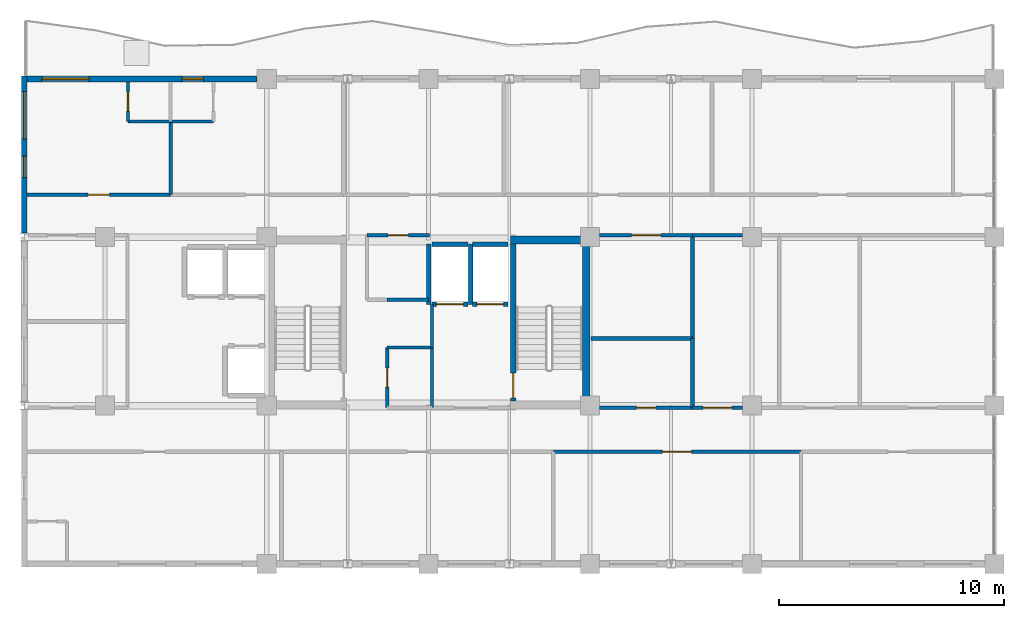
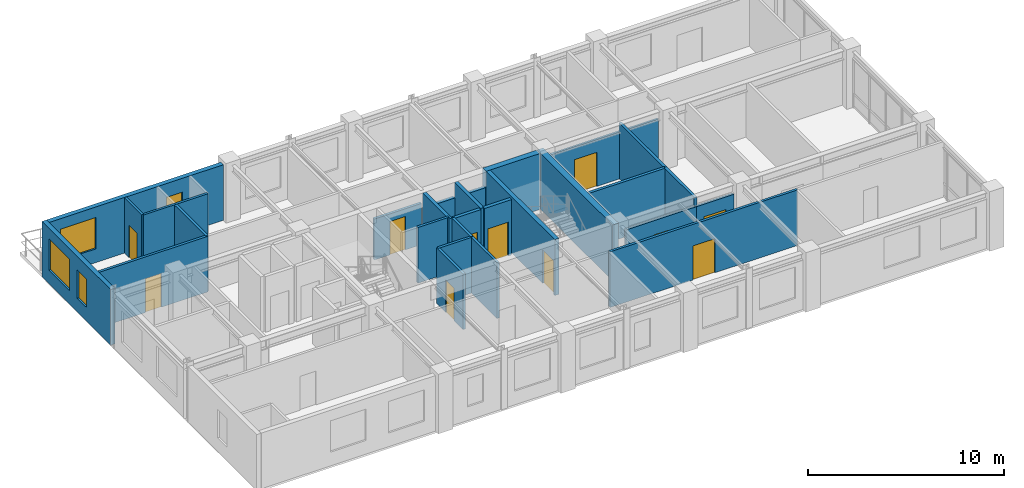
# One storey, part 7 of 11: 30 walls, 11 doors, 4 windows, 15 openings.
"""IFC4 building model written with IfcOpenShell, lengths in metres."""

import ifcopenshell
import ifcopenshell.guid

model = None  # the IFC model being written
_history = None  # IfcOwnerHistory: only IFC2X3 demands one
_inside = {}  # id of a spatial element -> (the spatial element, [elements in it])
_under = {}  # id of a project, library or spatial element -> (it, [spatial elements below it])
_declared = {}  # id of a project -> (the project, [libraries it declares])
_typed = {}  # id of a type object -> (the type object, [elements of that type])
_made_of = {}  # id of a material, layer set ... -> (it, [elements and type objects made of it])


def new_model(schema):
    """Start an empty IFC model of exactly this schema.

    Asked for "IFC4X3", IfcOpenShell would pick the latest addendum, in which some entities
    have other attributes; the version numbers below select the first issue.
    IFC2X3 requires an IfcOwnerHistory on every rooted entity: one is made here for all.
    """
    global model, _history
    if schema == "IFC4X3":
        model = ifcopenshell.file(schema_version=(4, 3, 0, 0))
    else:
        model = ifcopenshell.file(schema=schema)
    _inside.clear()
    _under.clear()
    _declared.clear()
    _typed.clear()
    _made_of.clear()
    _history = None
    if model.schema == "IFC2X3":
        org = make("IfcOrganization", Name="unknown")
        user = make(
            "IfcPersonAndOrganization",
            ThePerson=make("IfcPerson", FamilyName="unknown"),
            TheOrganization=org,
        )
        app = make(
            "IfcApplication",
            ApplicationDeveloper=org,
            Version="unknown",
            ApplicationFullName="unknown",
            ApplicationIdentifier="unknown",
        )
        _history = make(
            "IfcOwnerHistory",
            OwningUser=user,
            OwningApplication=app,
            ChangeAction="ADDED",
            CreationDate=0,
        )
    return model


def make(cls, **values):
    """One entity of the class cls with the attributes given. An attribute that is None is left unset."""
    return model.create_entity(
        cls, **{name: value for name, value in values.items() if value is not None}
    )


def rooted(cls, **values):
    """An entity with a GlobalId (a new one), such as an element, a storey or a relation."""
    return make(cls, GlobalId=ifcopenshell.guid.new(), OwnerHistory=_history, **values)


def si_unit(unit_type, name, prefix=None):
    """IfcSIUnit, for example si_unit("LENGTHUNIT", "METRE", prefix="MILLI")."""
    return make("IfcSIUnit", UnitType=unit_type, Prefix=prefix, Name=name)


def assignment(units):
    """IfcUnitAssignment: the units of a project."""
    return None if units is None else make("IfcUnitAssignment", Units=units)


def point(xyz):
    """IfcCartesianPoint."""
    return None if xyz is None else make("IfcCartesianPoint", Coordinates=xyz)


def direction(xyz):
    """IfcDirection."""
    return None if xyz is None else make("IfcDirection", DirectionRatios=xyz)


def frame(location, z_axis=None, x_axis=None):
    """IfcAxis2Placement3D, a coordinate frame: its origin and axes. An axis left out is left unset."""
    return make(
        "IfcAxis2Placement3D",
        Location=point(location),
        Axis=direction(z_axis),
        RefDirection=direction(x_axis),
    )


def frame_2d(location, x_axis=None):
    """IfcAxis2Placement2D, a coordinate frame in the plane: its origin and x axis."""
    return make(
        "IfcAxis2Placement2D", Location=point(location), RefDirection=direction(x_axis)
    )


def origin():
    """The frame at (0, 0, 0) with its axes left unset."""
    return frame((0.0, 0.0, 0.0))


def place(relative_to, where):
    """IfcLocalPlacement: puts the frame where relative to a parent placement (None: the world)."""
    return make(
        "IfcLocalPlacement", PlacementRelTo=relative_to, RelativePlacement=where
    )


def context(
    kind, dimensions, precision=None, world=None, true_north=None, identifier=None
):
    """IfcGeometricRepresentationContext, for example the 3D "Model" context."""
    return make(
        "IfcGeometricRepresentationContext",
        ContextIdentifier=identifier,
        ContextType=kind,
        CoordinateSpaceDimension=dimensions,
        Precision=precision,
        WorldCoordinateSystem=world,
        TrueNorth=true_north,
    )


def subcontext(parent, identifier, kind, view, scale=None):
    """IfcGeometricRepresentationSubContext, for example "Body" below "Model"."""
    return make(
        "IfcGeometricRepresentationSubContext",
        ContextIdentifier=identifier,
        ContextType=kind,
        ParentContext=parent,
        TargetScale=scale,
        TargetView=view,
    )


def project(units=None, contexts=None):
    """IfcProject with its units and contexts."""
    return rooted(
        "IfcProject",
        Name="project",
        RepresentationContexts=contexts,
        UnitsInContext=assignment(units),
    )


def spatial(cls, under=None, at=None, **own):
    """A site, building, storey or space (cls), placed at a placement, below another one or the project."""
    s = rooted(cls, ObjectPlacement=at, **own)
    if under is not None:
        _under.setdefault(under.id(), (under, []))[1].append(s)
    return s


def profile(cls, at=None, kind="AREA", **sizes):
    """A parametric profile (cls). Its sizes go by their IFC names, for example OverallWidth=200.0."""
    return make(cls, ProfileType=kind, Position=at, **sizes)


def rectangle(**sizes):
    """IfcRectangleProfileDef."""
    return profile("IfcRectangleProfileDef", **sizes)


def extrude(swept, where, along, depth):
    """IfcExtrudedAreaSolid: the profile swept, set in the frame where, extruded along a direction by depth."""
    return make(
        "IfcExtrudedAreaSolid",
        SweptArea=swept,
        Position=where,
        ExtrudedDirection=direction(along),
        Depth=depth,
    )


def shape(context_of_items, identifier, shape_type, items):
    """IfcShapeRepresentation: the items that make up one representation, for example the "Body"."""
    return make(
        "IfcShapeRepresentation",
        ContextOfItems=context_of_items,
        RepresentationIdentifier=identifier,
        RepresentationType=shape_type,
        Items=items,
    )


def material(Name=None, Category=None):
    """IfcMaterial."""
    return make("IfcMaterial", Name=Name, Category=Category)


def layer(
    of_material, thickness, ventilated=None, Name=None, Category=None, Priority=None
):
    """IfcMaterialLayer: one layer of a wall or slab, of a material (None: an air gap)."""
    return make(
        "IfcMaterialLayer",
        Material=of_material,
        LayerThickness=thickness,
        IsVentilated=ventilated,
        Name=Name,
        Category=Category,
        Priority=Priority,
    )


def layer_set(layers, Name=None):
    """IfcMaterialLayerSet."""
    return make("IfcMaterialLayerSet", MaterialLayers=layers, LayerSetName=Name)


def made_of(thing, what):
    """Note that an element or type object is made of a material, layer set ...; save() writes the relation."""
    if what is not None:
        _made_of.setdefault(what.id(), (what, []))[1].append(thing)
    return thing


def type_object(cls, material=None, **own):
    """A type object (cls), such as IfcWallType, which elements share."""
    return made_of(rooted(cls, **own), material)


def element(
    cls,
    number,
    at=None,
    inside=None,
    cuts=None,
    type_object=None,
    material=None,
    context=None,
    identifier="Body",
    shape_type=None,
    held_by="IfcProductDefinitionShape",
    body=None,
    shapes=None,
    **own,
):
    """One element of the class cls, such as IfcWall. Its Tag is "e" and its number.

    at: its placement. inside: the storey or other place that contains it. cuts: it is an
    opening in that element (IfcRelVoidsElement). A single representation is given by context,
    identifier, shape_type and body (its items); several are given by shapes. held_by: the class
    of the entity that holds the representations. save() writes the other relations.
    """
    e = rooted(cls, Tag="e%d" % number, ObjectPlacement=at, **own)
    if body is not None:
        shapes = [shape(context, identifier, shape_type, body)]
    if shapes is not None:
        e.Representation = make(held_by, Representations=shapes)
    if inside is not None:
        _inside.setdefault(inside.id(), (inside, []))[1].append(e)
    if cuts is not None:
        rooted(
            "IfcRelVoidsElement", RelatingBuildingElement=cuts, RelatedOpeningElement=e
        )
    if type_object is not None:
        _typed.setdefault(type_object.id(), (type_object, []))[1].append(e)
    return made_of(e, material)


def fill(opening, filler):
    """IfcRelFillsElement: the door or window that sits in an opening."""
    return rooted(
        "IfcRelFillsElement",
        RelatingOpeningElement=opening,
        RelatedBuildingElement=filler,
    )


def aggregate(whole, parts):
    """IfcRelAggregates: a whole, such as a stair, and the parts it consists of."""
    return rooted("IfcRelAggregates", RelatingObject=whole, RelatedObjects=parts)


def save(model, path):
    """Write the relations noted so far, then the file.

    IfcRelAggregates (storeys below a building ...), IfcRelContainedInSpatialStructure (elements
    in a storey), IfcRelDefinesByType, IfcRelAssociatesMaterial and IfcRelDeclares: one each for
    every whole, place, type object, material and project.
    """
    for whole, parts in _under.values():
        aggregate(whole, parts)
    for where, things in _inside.values():
        rooted(
            "IfcRelContainedInSpatialStructure",
            RelatedElements=things,
            RelatingStructure=where,
        )
    for kind, things in _typed.values():
        rooted("IfcRelDefinesByType", RelatedObjects=things, RelatingType=kind)
    for what, things in _made_of.values():
        rooted("IfcRelAssociatesMaterial", RelatedObjects=things, RelatingMaterial=what)
    for by, libraries in _declared.values():
        rooted("IfcRelDeclares", RelatingContext=by, RelatedDefinitions=libraries)
    model.write(path)


model = new_model("IFC4")

# Units and contexts
model_context = context("Model", 3, precision=1e-05, world=origin(), true_north=direction((0.0, 1.0)))
body_context = subcontext(model_context, "Body", "Model", "MODEL_VIEW")
ifc_project = project(units=[si_unit("LENGTHUNIT", "METRE"), si_unit("AREAUNIT", "SQUARE_METRE"), si_unit("VOLUMEUNIT", "CUBIC_METRE"), si_unit("PLANEANGLEUNIT", "RADIAN"), si_unit("MASSUNIT", "GRAM", prefix="KILO")], contexts=[model_context])

# Site, building, storey
site_placement = place(None, origin())
site = spatial("IfcSite", under=ifc_project, at=site_placement, CompositionType="ELEMENT")
building_placement = place(site_placement, origin())
building = spatial("IfcBuilding", under=site, at=building_placement, Name="Kaliganga Portal Commons", CompositionType="ELEMENT")
storey_placement = place(building_placement, frame((0.0, 0.0, 268.39990234375)))
storey = spatial("IfcBuildingStorey", under=building, at=storey_placement, Name="L69", CompositionType="ELEMENT", Elevation=268.39990234375)

# Walls
ifc_material_1 = material(Name="Concrete C50/60", Category="concrete")
ifc_layer_1 = layer(ifc_material_1, 0.35009765625)
ifc_layer_set_1 = layer_set([ifc_layer_1], Name="Concrete C50/60")
wall_type_1 = type_object("IfcWallType", Name="WL-CORE-350", PredefinedType="SHEAR", material=ifc_layer_set_1)
wall_1_placement = place(storey_placement, frame((28.625, 28.5, 0.0), z_axis=(0.0, 0.0, 1.0), x_axis=(0.0, 1.0, 0.0)))
element("IfcWall", 1, at=wall_1_placement, inside=storey, type_object=wall_type_1, Name="Core A East Shear Wall L69", PredefinedType="SHEAR", context=body_context, shape_type="SweptSolid", body=[
    extrude(rectangle(XDim=7.699951171875, YDim=0.35009765625, at=frame_2d((3.85009765625, 0.0))), origin(), (0.0, 0.0, 1.0), 3.47509765625),
])
wall_2_placement = place(storey_placement, frame((25.25, 36.02490234375, 0.0), z_axis=(0.0, 0.0, 1.0), x_axis=(1.0, 0.0, 0.0)))
element("IfcWall", 2, at=wall_2_placement, inside=storey, type_object=wall_type_1, Name="Core A N-East Shear Wall L69", PredefinedType="SHEAR", context=body_context, shape_type="SweptSolid", body=[
    extrude(rectangle(XDim=3.199951171875, YDim=0.35009765625, at=frame_2d((1.60009765625, 0.0))), origin(), (0.0, 0.0, 1.0), 3.47509765625),
])

# Wall, openings, windows
ifc_material_2 = material(Name="Insulated Aluminium-Clad Spandrel Assembly", Category="aluminium")
ifc_layer_2 = layer(ifc_material_2, 0.260009765625)
ifc_layer_set_2 = layer_set([ifc_layer_2], Name="Insulated Aluminium-Clad Spandrel Assembly")
wall_type_2 = type_object("IfcWallType", Name="WL-EXT-SPAND-260", PredefinedType="STANDARD", material=ifc_layer_set_2)
wall_3_placement = place(storey_placement, frame((3.735107421875, 43.199951171875, 0.0), z_axis=(0.0, 0.0, 1.0), x_axis=(1.0, 0.0, 0.0)))
wall_3 = element("IfcWall", 3, at=wall_3_placement, inside=storey, type_object=wall_type_2, Name="Exterior Envelope Wall L69 P1-E02-S8", PredefinedType="STANDARD", context=body_context, shape_type="SweptSolid", body=[
    extrude(rectangle(XDim=10.239013671875, YDim=0.260009765625, at=frame_2d((5.11962890625, 0.0))), origin(), (0.0, 0.0, 1.0), 3.455078125),
])
opening_1_placement = place(wall_3_placement, frame((0.656494140625, 0.0, 0.85009765625)))
opening_1 = element("IfcOpeningElement", 4, at=opening_1_placement, cuts=wall_3, Name="Opening W-06", PredefinedType="OPENING", context=body_context, shape_type="SweptSolid", body=[
    extrude(rectangle(XDim=2.10009765625, YDim=1.949951171875, at=frame_2d((1.050048828125, 0.97509765625))), frame((0.0, 0.14013671875, 0.0), z_axis=(0.0, -1.0, 0.0), x_axis=(1.0, 0.0, 0.0)), (0.0, 0.0, 1.0), 0.280029296875),
])
opening_2_placement = place(wall_3_placement, frame((6.897216796875, 0.0, 0.85009765625)))
opening_2 = element("IfcOpeningElement", 5, at=opening_2_placement, cuts=wall_3, Name="Opening W-04", PredefinedType="OPENING", context=body_context, shape_type="SweptSolid", body=[
    extrude(rectangle(XDim=0.949951171875, YDim=1.75, at=frame_2d((0.47509765625, 0.875))), frame((0.0, 0.14013671875, 0.0), z_axis=(0.0, -1.0, 0.0), x_axis=(1.0, 0.0, 0.0)), (0.0, 0.0, 1.0), 0.280029296875),
])
ifc_material_3 = material(Name="Thermally Broken Aluminium and Low-E Double Glazing", Category="aluminium")
window_type_1 = type_object("IfcWindowType", Name="WIN-NARROW-950", PartitioningType="SINGLE_PANEL", PredefinedType="WINDOW", material=ifc_material_3)
window_1_placement = place(opening_2_placement, origin())
window_1 = element("IfcWindow", 6, at=window_1_placement, inside=storey, type_object=window_type_1, Name="Facade Window L69-P1E02S8-N4", OverallHeight=1.75, OverallWidth=0.949951171875, PartitioningType="SINGLE_PANEL", PredefinedType="WINDOW", context=body_context, shape_type="SweptSolid", body=[
    extrude(rectangle(XDim=0.949951171875, YDim=1.75, at=frame_2d((0.47509765625, 0.875))), frame((0.0, 0.030029296875, 0.0), z_axis=(0.0, -1.0, 0.0), x_axis=(1.0, 0.0, 0.0)), (0.0, 0.0, 1.0), 0.06005859375),
])
fill(opening_2, window_1)
window_type_2 = type_object("IfcWindowType", Name="WIN-PAN-2100", PartitioningType="DOUBLE_PANEL_VERTICAL", PredefinedType="WINDOW", material=ifc_material_3)
window_2_placement = place(opening_1_placement, origin())
window_2 = element("IfcWindow", 7, at=window_2_placement, inside=storey, type_object=window_type_2, Name="Facade Window L69-P1E02S8-00", OverallHeight=1.949951171875, OverallWidth=2.10009765625, PartitioningType="SINGLE_PANEL", PredefinedType="WINDOW", context=body_context, shape_type="SweptSolid", body=[
    extrude(rectangle(XDim=2.10009765625, YDim=1.949951171875, at=frame_2d((1.050048828125, 0.97509765625))), frame((0.0, 0.030029296875, 0.0), z_axis=(0.0, -1.0, 0.0), x_axis=(1.0, 0.0, 0.0)), (0.0, 0.0, 1.0), 0.06005859375),
])
fill(opening_1, window_2)

wall_4_placement = place(storey_placement, frame((3.60009765625, 36.3369140625, 0.0), z_axis=(0.0, 0.0, 1.0), x_axis=(0.0, 1.0, 0.0)))
wall_4 = element("IfcWall", 8, at=wall_4_placement, inside=storey, type_object=wall_type_2, Name="Exterior Envelope Wall L69 P1-E03-S1", PredefinedType="STANDARD", context=body_context, shape_type="SweptSolid", body=[
    extrude(rectangle(XDim=6.9931640625, YDim=0.260009765625, at=frame_2d((3.49658203125, 0.0))), origin(), (0.0, 0.0, 1.0), 3.455078125),
])
opening_3_placement = place(wall_4_placement, frame((4.194580078125, 0.0, 0.85009765625)))
opening_3 = element("IfcOpeningElement", 9, at=opening_3_placement, cuts=wall_4, Name="Opening W-06", PredefinedType="OPENING", context=body_context, shape_type="SweptSolid", body=[
    extrude(rectangle(XDim=2.10009765625, YDim=1.949951171875, at=frame_2d((1.050048828125, 0.97509765625))), frame((0.0, 0.14013671875, 0.0), z_axis=(0.0, -1.0, 0.0), x_axis=(1.0, 0.0, 0.0)), (0.0, 0.0, 1.0), 0.280029296875),
])
opening_4_placement = place(wall_4_placement, frame((2.462158203125, 0.0, 0.85009765625)))
opening_4 = element("IfcOpeningElement", 10, at=opening_4_placement, cuts=wall_4, Name="Opening W-04", PredefinedType="OPENING", context=body_context, shape_type="SweptSolid", body=[
    extrude(rectangle(XDim=0.949951171875, YDim=1.75, at=frame_2d((0.47509765625, 0.875))), frame((0.0, 0.14013671875, 0.0), z_axis=(0.0, -1.0, 0.0), x_axis=(1.0, 0.0, 0.0)), (0.0, 0.0, 1.0), 0.280029296875),
])
window_3_placement = place(opening_4_placement, origin())
window_3 = element("IfcWindow", 11, at=window_3_placement, inside=storey, type_object=window_type_1, Name="Facade Window L69-P1E03S1-N5", OverallHeight=1.75, OverallWidth=0.949951171875, PartitioningType="SINGLE_PANEL", PredefinedType="WINDOW", context=body_context, shape_type="SweptSolid", body=[
    extrude(rectangle(XDim=0.949951171875, YDim=1.75, at=frame_2d((0.47509765625, 0.875))), frame((0.0, 0.030029296875, 0.0), z_axis=(0.0, -1.0, 0.0), x_axis=(1.0, 0.0, 0.0)), (0.0, 0.0, 1.0), 0.06005859375),
])
fill(opening_4, window_3)
window_4_placement = place(opening_3_placement, origin())
window_4 = element("IfcWindow", 12, at=window_4_placement, inside=storey, type_object=window_type_2, Name="Facade Window L69-P1E03S1-01", OverallHeight=1.949951171875, OverallWidth=2.10009765625, PartitioningType="SINGLE_PANEL", PredefinedType="WINDOW", context=body_context, shape_type="SweptSolid", body=[
    extrude(rectangle(XDim=2.10009765625, YDim=1.949951171875, at=frame_2d((1.050048828125, 0.97509765625))), frame((0.0, 0.030029296875, 0.0), z_axis=(0.0, -1.0, 0.0), x_axis=(1.0, 0.0, 0.0)), (0.0, 0.0, 1.0), 0.06005859375),
])
fill(opening_3, window_4)

# Wall, opening, door
ifc_material_4 = material(Name="Fire-Rated Gypsum Board on Steel Stud", Category="steel")
ifc_layer_3 = layer(ifc_material_4, 0.14990234375)
ifc_layer_set_3 = layer_set([ifc_layer_3], Name="Fire-Rated Gypsum Board on Steel Stud")
wall_type_3 = type_object("IfcWallType", Name="WL-PART-CORR-150", PredefinedType="PARTITIONING", material=ifc_layer_set_3)
wall_5_placement = place(storey_placement, frame((27.159912109375, 26.60009765625, 0.0), z_axis=(0.0, 0.0, 1.0), x_axis=(1.0, 0.0, 0.0)))
wall_5 = element("IfcWall", 13, at=wall_5_placement, inside=storey, type_object=wall_type_3, Name="Interior Partition L69-010", PredefinedType="PARTITIONING", context=body_context, shape_type="SweptSolid", body=[
    extrude(rectangle(XDim=11.02001953125, YDim=0.14990234375, at=frame_2d((5.510009765625, 0.0))), origin(), (0.0, 0.0, 1.0), 3.455078125),
])
opening_5_placement = place(wall_5_placement, frame((4.860107421875, 0.0, 0.0)))
opening_5 = element("IfcOpeningElement", 14, at=opening_5_placement, cuts=wall_5, Name="Opening RD-03", PredefinedType="OPENING", context=body_context, shape_type="SweptSolid", body=[
    extrude(rectangle(XDim=1.300048828125, YDim=2.1201171875, at=frame_2d((0.64990234375, 1.06005859375))), frame((0.0, 0.0849609375, 0.0), z_axis=(0.0, -1.0, 0.0), x_axis=(1.0, 0.0, 0.0)), (0.0, 0.0, 1.0), 0.169921875),
])
ifc_material_5 = material(Name="Glazed Timber Seminar Vision Door", Category="wood")
door_type_1 = type_object("IfcDoorType", Name="DR-STUDY-1300", OperationType="DOUBLE_DOOR_SINGLE_SWING", PredefinedType="DOOR", material=ifc_material_5)
door_1_placement = place(opening_5_placement, origin())
door_1 = element("IfcDoor", 15, at=door_1_placement, inside=storey, type_object=door_type_1, Name="Interior Door L69-AS03", OperationType="DOUBLE_DOOR_SINGLE_SWING", OverallHeight=2.1201171875, OverallWidth=1.300048828125, PredefinedType="DOOR", context=body_context, shape_type="SweptSolid", body=[
    extrude(rectangle(XDim=1.300048828125, YDim=2.1201171875, at=frame_2d((0.64990234375, 1.06005859375))), frame((0.0, 0.02490234375, 0.0), z_axis=(0.0, -1.0, 0.0), x_axis=(1.0, 0.0, 0.0)), (0.0, 0.0, 1.0), 0.050048828125),
])
fill(opening_5, door_1)

wall_6_placement = place(storey_placement, frame((3.73193359375, 38.0400390625, 0.0), z_axis=(0.0, 0.0, 1.0), x_axis=(1.0, 0.0, 0.0)))
wall_6 = element("IfcWall", 16, at=wall_6_placement, inside=storey, type_object=wall_type_3, Name="Interior Partition L69-016", PredefinedType="PARTITIONING", context=body_context, shape_type="SweptSolid", body=[
    extrude(rectangle(XDim=6.38818359375, YDim=0.14990234375, at=frame_2d((3.194091796875, 0.0))), origin(), (0.0, 0.0, 1.0), 3.455078125),
])
opening_6_placement = place(wall_6_placement, frame((2.718994140625, 0.0, 0.0)))
opening_6 = element("IfcOpeningElement", 17, at=opening_6_placement, cuts=wall_6, Name="Opening UD-01", PredefinedType="OPENING", context=body_context, shape_type="SweptSolid", body=[
    extrude(rectangle(XDim=0.949951171875, YDim=2.10009765625, at=frame_2d((0.47509765625, 1.050048828125))), frame((0.0, 0.0849609375, 0.0), z_axis=(0.0, -1.0, 0.0), x_axis=(1.0, 0.0, 0.0)), (0.0, 0.0, 1.0), 0.169921875),
])
ifc_material_6 = material(Name="Solid-Core Timber Acoustic Fire Door", Category="wood")
door_type_2 = type_object("IfcDoorType", Name="DR-UNIT-950", OperationType="NOTDEFINED", PredefinedType="DOOR", material=ifc_material_6)
door_2_placement = place(opening_6_placement, origin())
door_2 = element("IfcDoor", 18, at=door_2_placement, inside=storey, type_object=door_type_2, Name="Interior Door L69-AN01", OperationType="SINGLE_SWING_LEFT", OverallHeight=2.10009765625, OverallWidth=0.949951171875, PredefinedType="DOOR", context=body_context, shape_type="SweptSolid", body=[
    extrude(rectangle(XDim=0.949951171875, YDim=2.10009765625, at=frame_2d((0.47509765625, 1.050048828125))), frame((0.0, 0.02490234375, 0.0), z_axis=(0.0, -1.0, 0.0), x_axis=(1.0, 0.0, 0.0)), (0.0, 0.0, 1.0), 0.050048828125),
])
fill(opening_6, door_2)

wall_7_placement = place(storey_placement, frame((29.22509765625, 28.56005859375, 0.0), z_axis=(0.0, 0.0, 1.0), x_axis=(1.0, 0.0, 0.0)))
wall_7 = element("IfcWall", 19, at=wall_7_placement, inside=storey, type_object=wall_type_3, Name="Interior Partition L69-023", PredefinedType="PARTITIONING", context=body_context, shape_type="SweptSolid", body=[
    extrude(rectangle(XDim=4.135009765625, YDim=0.14990234375, at=frame_2d((2.0673828125, 0.0))), origin(), (0.0, 0.0, 1.0), 2.905029296875),
])
opening_7_placement = place(wall_7_placement, frame((1.637451171875, 0.0, 0.0)))
opening_7 = element("IfcOpeningElement", 20, at=opening_7_placement, cuts=wall_7, Name="Opening WD-02", PredefinedType="OPENING", context=body_context, shape_type="SweptSolid", body=[
    extrude(rectangle(XDim=0.860107421875, YDim=2.02001953125, at=frame_2d((0.43017578125, 1.010009765625))), frame((0.0, 0.0849609375, 0.0), z_axis=(0.0, -1.0, 0.0), x_axis=(1.0, 0.0, 0.0)), (0.0, 0.0, 1.0), 0.169921875),
])
ifc_material_7 = material(Name="Fire-Rated Utility Closet Door", Category="wood")
door_type_3 = type_object("IfcDoorType", Name="DR-STORE-800", OperationType="NOTDEFINED", PredefinedType="DOOR", material=ifc_material_7)
door_3_placement = place(opening_7_placement, origin())
door_3 = element("IfcDoor", 21, at=door_3_placement, inside=storey, type_object=door_type_3, Name="Interior Door L69-CSRV_A1", OperationType="SINGLE_SWING_LEFT", OverallHeight=2.02001953125, OverallWidth=0.860107421875, PredefinedType="DOOR", context=body_context, shape_type="SweptSolid", body=[
    extrude(rectangle(XDim=0.860107421875, YDim=2.02001953125, at=frame_2d((0.43017578125, 1.010009765625))), frame((0.0, 0.02490234375, 0.0), z_axis=(0.0, -1.0, 0.0), x_axis=(1.0, 0.0, 0.0)), (0.0, 0.0, 1.0), 0.050048828125),
])
fill(opening_7, door_3)

wall_8_placement = place(storey_placement, frame((29.22509765625, 36.239990234375, 0.0), z_axis=(0.0, 0.0, 1.0), x_axis=(1.0, 0.0, 0.0)))
wall_8 = element("IfcWall", 22, at=wall_8_placement, inside=storey, type_object=wall_type_3, Name="Interior Partition L69-024", PredefinedType="PARTITIONING", context=body_context, shape_type="SweptSolid", body=[
    extrude(rectangle(XDim=4.135009765625, YDim=0.14990234375, at=frame_2d((2.0673828125, 0.0))), origin(), (0.0, 0.0, 1.0), 2.905029296875),
])
opening_8_placement = place(wall_8_placement, frame((1.41748046875, 0.0, 0.0)))
opening_8 = element("IfcOpeningElement", 23, at=opening_8_placement, cuts=wall_8, Name="Opening RD-03", PredefinedType="OPENING", context=body_context, shape_type="SweptSolid", body=[
    extrude(rectangle(XDim=1.300048828125, YDim=2.1201171875, at=frame_2d((0.64990234375, 1.06005859375))), frame((0.0, 0.0849609375, 0.0), z_axis=(0.0, -1.0, 0.0), x_axis=(1.0, 0.0, 0.0)), (0.0, 0.0, 1.0), 0.169921875),
])
door_4_placement = place(opening_8_placement, origin())
door_4 = element("IfcDoor", 24, at=door_4_placement, inside=storey, type_object=door_type_1, Name="Interior Door L69-CSRV_A2", OperationType="DOUBLE_DOOR_SINGLE_SWING", OverallHeight=2.1201171875, OverallWidth=1.300048828125, PredefinedType="DOOR", context=body_context, shape_type="SweptSolid", body=[
    extrude(rectangle(XDim=1.300048828125, YDim=2.1201171875, at=frame_2d((0.64990234375, 1.06005859375))), frame((0.0, 0.02490234375, 0.0), z_axis=(0.0, -1.0, 0.0), x_axis=(1.0, 0.0, 0.0)), (0.0, 0.0, 1.0), 0.050048828125),
])
fill(opening_8, door_4)

wall_9_placement = place(storey_placement, frame((33.360107421875, 28.56005859375, 0.0), z_axis=(0.0, 0.0, 1.0), x_axis=(1.0, 0.0, 0.0)))
wall_9 = element("IfcWall", 25, at=wall_9_placement, inside=storey, type_object=wall_type_3, Name="Interior Partition L69-025", PredefinedType="PARTITIONING", context=body_context, shape_type="SweptSolid", body=[
    extrude(rectangle(XDim=2.21484375, YDim=0.14990234375, at=frame_2d((1.107421875, 0.0))), origin(), (0.0, 0.0, 1.0), 2.905029296875),
])
opening_9_placement = place(wall_9_placement, frame((0.45751953125, 0.0, 0.0)))
opening_9 = element("IfcOpeningElement", 26, at=opening_9_placement, cuts=wall_9, Name="Opening RD-03", PredefinedType="OPENING", context=body_context, shape_type="SweptSolid", body=[
    extrude(rectangle(XDim=1.300048828125, YDim=2.1201171875, at=frame_2d((0.64990234375, 1.06005859375))), frame((0.0, 0.0849609375, 0.0), z_axis=(0.0, -1.0, 0.0), x_axis=(1.0, 0.0, 0.0)), (0.0, 0.0, 1.0), 0.169921875),
])
door_5_placement = place(opening_9_placement, origin())
door_5 = element("IfcDoor", 27, at=door_5_placement, inside=storey, type_object=door_type_1, Name="Interior Door L69-AE01", OperationType="DOUBLE_DOOR_SINGLE_SWING", OverallHeight=2.1201171875, OverallWidth=1.300048828125, PredefinedType="DOOR", context=body_context, shape_type="SweptSolid", body=[
    extrude(rectangle(XDim=1.300048828125, YDim=2.1201171875, at=frame_2d((0.64990234375, 1.06005859375))), frame((0.0, 0.02490234375, 0.0), z_axis=(0.0, -1.0, 0.0), x_axis=(1.0, 0.0, 0.0)), (0.0, 0.0, 1.0), 0.050048828125),
])
fill(opening_9, door_5)

# Wall
wall_10_placement = place(storey_placement, frame((33.360107421875, 36.239990234375, 0.0), z_axis=(0.0, 0.0, 1.0), x_axis=(1.0, 0.0, 0.0)))
element("IfcWall", 28, at=wall_10_placement, inside=storey, type_object=wall_type_3, Name="Interior Partition L69-027", PredefinedType="PARTITIONING", context=body_context, shape_type="SweptSolid", body=[
    extrude(rectangle(XDim=2.21484375, YDim=0.14990234375, at=frame_2d((1.107421875, 0.0))), origin(), (0.0, 0.0, 1.0), 2.905029296875),
])

# Wall, opening, door
wall_11_placement = place(storey_placement, frame((18.860107421875, 36.239990234375, 0.0), z_axis=(0.0, 0.0, 1.0), x_axis=(1.0, 0.0, 0.0)))
wall_11 = element("IfcWall", 29, at=wall_11_placement, inside=storey, type_object=wall_type_3, Name="Interior Partition L69-034", PredefinedType="PARTITIONING", context=body_context, shape_type="SweptSolid", body=[
    extrude(rectangle(XDim=2.77978515625, YDim=0.14990234375, at=frame_2d((1.389892578125, 0.0))), origin(), (0.0, 0.0, 1.0), 2.55517578125),
])
opening_10_placement = place(wall_11_placement, frame((0.93994140625, 0.0, 0.0)))
opening_10 = element("IfcOpeningElement", 30, at=opening_10_placement, cuts=wall_11, Name="Opening RD-01", PredefinedType="OPENING", context=body_context, shape_type="SweptSolid", body=[
    extrude(rectangle(XDim=0.89990234375, YDim=2.080078125, at=frame_2d((0.449951171875, 1.0400390625))), frame((0.0, 0.0849609375, 0.0), z_axis=(0.0, -1.0, 0.0), x_axis=(1.0, 0.0, 0.0)), (0.0, 0.0, 1.0), 0.169921875),
])
ifc_material_8 = material(Name="Engineered Timber Flush Door", Category="wood")
door_type_4 = type_object("IfcDoorType", Name="DR-ROOM-900", OperationType="NOTDEFINED", PredefinedType="DOOR", material=ifc_material_8)
door_6_placement = place(opening_10_placement, origin())
door_6 = element("IfcDoor", 31, at=door_6_placement, inside=storey, type_object=door_type_4, Name="Interior Door L69-CREC_A1", OperationType="SINGLE_SWING_LEFT", OverallHeight=2.080078125, OverallWidth=0.89990234375, PredefinedType="DOOR", context=body_context, shape_type="SweptSolid", body=[
    extrude(rectangle(XDim=0.89990234375, YDim=2.080078125, at=frame_2d((0.449951171875, 1.0400390625))), frame((0.0, 0.02490234375, 0.0), z_axis=(0.0, -1.0, 0.0), x_axis=(1.0, 0.0, 0.0)), (0.0, 0.0, 1.0), 0.050048828125),
])
fill(opening_10, door_6)

wall_12_placement = place(storey_placement, frame((19.760009765625, 28.56005859375, 0.0), z_axis=(0.0, 0.0, 1.0), x_axis=(0.0, 1.0, 0.0)))
wall_12 = element("IfcWall", 32, at=wall_12_placement, inside=storey, type_object=wall_type_3, Name="Interior Partition L69-035", PredefinedType="PARTITIONING", context=body_context, shape_type="SweptSolid", body=[
    extrude(rectangle(XDim=2.679931640625, YDim=0.14990234375, at=frame_2d((1.33984375, 0.0))), origin(), (0.0, 0.0, 1.0), 3.455078125),
])
opening_11_placement = place(wall_12_placement, frame((0.909912109375, 0.0, 0.0)))
opening_11 = element("IfcOpeningElement", 33, at=opening_11_placement, cuts=wall_12, Name="Opening WD-02", PredefinedType="OPENING", context=body_context, shape_type="SweptSolid", body=[
    extrude(rectangle(XDim=0.860107421875, YDim=2.02001953125, at=frame_2d((0.43017578125, 1.010009765625))), frame((0.0, 0.0849609375, 0.0), z_axis=(0.0, -1.0, 0.0), x_axis=(1.0, 0.0, 0.0)), (0.0, 0.0, 1.0), 0.169921875),
])
door_7_placement = place(opening_11_placement, origin())
door_7 = element("IfcDoor", 34, at=door_7_placement, inside=storey, type_object=door_type_3, Name="Interior Door L69-CIN_A1", OperationType="SINGLE_SWING_RIGHT", OverallHeight=2.02001953125, OverallWidth=0.860107421875, PredefinedType="DOOR", context=body_context, shape_type="SweptSolid", body=[
    extrude(rectangle(XDim=0.860107421875, YDim=2.02001953125, at=frame_2d((0.43017578125, 1.010009765625))), frame((0.0, 0.02490234375, 0.0), z_axis=(0.0, -1.0, 0.0), x_axis=(1.0, 0.0, 0.0)), (0.0, 0.0, 1.0), 0.050048828125),
])
fill(opening_11, door_7)

# Walls
wall_13_placement = place(storey_placement, frame((21.760009765625, 28.56005859375, 0.0), z_axis=(0.0, 0.0, 1.0), x_axis=(0.0, 1.0, 0.0)))
element("IfcWall", 35, at=wall_13_placement, inside=storey, type_object=wall_type_3, Name="Interior Partition L69-036", PredefinedType="PARTITIONING", context=body_context, shape_type="SweptSolid", body=[
    extrude(rectangle(XDim=2.679931640625, YDim=0.14990234375, at=frame_2d((1.33984375, 0.0))), origin(), (0.0, 0.0, 1.0), 3.455078125),
])
wall_14_placement = place(storey_placement, frame((19.760009765625, 31.239990234375, 0.0), z_axis=(0.0, 0.0, 1.0), x_axis=(1.0, 0.0, 0.0)))
element("IfcWall", 36, at=wall_14_placement, inside=storey, type_object=wall_type_3, Name="Interior Partition L69-038", PredefinedType="PARTITIONING", context=body_context, shape_type="SweptSolid", body=[
    extrude(rectangle(XDim=2.0, YDim=0.14990234375, at=frame_2d((1.0, 0.0))), origin(), (0.0, 0.0, 1.0), 3.455078125),
])
wall_15_placement = place(storey_placement, frame((19.760009765625, 33.360107421875, 0.0), z_axis=(0.0, 0.0, 1.0), x_axis=(1.0, 0.0, 0.0)))
element("IfcWall", 37, at=wall_15_placement, inside=storey, type_object=wall_type_3, Name="Interior Partition L69-039", PredefinedType="PARTITIONING", context=body_context, shape_type="SweptSolid", body=[
    extrude(rectangle(XDim=1.85009765625, YDim=0.14990234375, at=frame_2d((0.925048828125, 0.0))), origin(), (0.0, 0.0, 1.0), 3.455078125),
])
wall_16_placement = place(storey_placement, frame((21.760009765625, 31.239990234375, 0.0), z_axis=(0.0, 0.0, 1.0), x_axis=(0.0, 1.0, 0.0)))
element("IfcWall", 38, at=wall_16_placement, inside=storey, type_object=wall_type_3, Name="Interior Partition L69-057", PredefinedType="PARTITIONING", context=body_context, shape_type="SweptSolid", body=[
    extrude(rectangle(XDim=1.919921875, YDim=0.14990234375, at=frame_2d((0.9599609375, 0.0))), origin(), (0.0, 0.0, 1.0), 3.455078125),
])
ifc_material_9 = material(Name="Twin-Stud Acoustic Gypsum Partition", Category="gypsum")
ifc_layer_4 = layer(ifc_material_9, 0.1650390625)
ifc_layer_set_4 = layer_set([ifc_layer_4], Name="Twin-Stud Acoustic Gypsum Partition")
wall_type_4 = type_object("IfcWallType", Name="WL-PART-UNIT-165", PredefinedType="PARTITIONING", material=ifc_layer_set_4)
wall_17_placement = place(storey_placement, frame((33.360107421875, 31.639892578125, 0.0), z_axis=(0.0, 0.0, 1.0), x_axis=(0.0, 1.0, 0.0)))
element("IfcWall", 39, at=wall_17_placement, inside=storey, type_object=wall_type_4, Name="Interior Partition L69-051", PredefinedType="PARTITIONING", context=body_context, shape_type="SweptSolid", body=[
    extrude(rectangle(XDim=4.60009765625, YDim=0.1650390625, at=frame_2d((2.300048828125, 0.0))), origin(), (0.0, 0.0, 1.0), 3.455078125),
])
wall_18_placement = place(storey_placement, frame((28.840087890625, 31.639892578125, 0.0), z_axis=(0.0, 0.0, 1.0), x_axis=(1.0, 0.0, 0.0)))
element("IfcWall", 40, at=wall_18_placement, inside=storey, type_object=wall_type_4, Name="Interior Partition L69-053", PredefinedType="PARTITIONING", context=body_context, shape_type="SweptSolid", body=[
    extrude(rectangle(XDim=4.52001953125, YDim=0.1650390625, at=frame_2d((2.260009765625, 0.0))), origin(), (0.0, 0.0, 1.0), 3.455078125),
])
wall_19_placement = place(storey_placement, frame((10.1201171875, 38.0400390625, 0.0), z_axis=(0.0, 0.0, 1.0), x_axis=(0.0, 1.0, 0.0)))
element("IfcWall", 41, at=wall_19_placement, inside=storey, type_object=wall_type_4, Name="Interior Partition L69-055", PredefinedType="PARTITIONING", context=body_context, shape_type="SweptSolid", body=[
    extrude(rectangle(XDim=3.260009765625, YDim=0.1650390625, at=frame_2d((1.6298828125, 0.0))), origin(), (0.0, 0.0, 1.0), 3.455078125),
])
wall_20_placement = place(storey_placement, frame((33.360107421875, 28.56005859375, 0.0), z_axis=(0.0, 0.0, 1.0), x_axis=(0.0, 1.0, 0.0)))
element("IfcWall", 42, at=wall_20_placement, inside=storey, type_object=wall_type_4, Name="Interior Partition L69-056", PredefinedType="PARTITIONING", context=body_context, shape_type="SweptSolid", body=[
    extrude(rectangle(XDim=3.079833984375, YDim=0.1650390625, at=frame_2d((1.5400390625, 0.0))), origin(), (0.0, 0.0, 1.0), 3.455078125),
])

# Wall, opening, door
ifc_material_10 = material(Name="Cement-Board Wet-Room Partition", Category="gypsum")
ifc_layer_5 = layer(ifc_material_10, 0.135009765625)
ifc_layer_set_5 = layer_set([ifc_layer_5], Name="Cement-Board Wet-Room Partition")
wall_type_5 = type_object("IfcWallType", Name="WL-PART-WET-135", PredefinedType="PARTITIONING", material=ifc_layer_set_5)
wall_21_placement = place(storey_placement, frame((8.219970703125, 41.300048828125, 0.0), z_axis=(0.0, 0.0, 1.0), x_axis=(0.0, 1.0, 0.0)))
wall_21 = element("IfcWall", 43, at=wall_21_placement, inside=storey, type_object=wall_type_5, Name="Interior Partition L69-001", PredefinedType="PARTITIONING", context=body_context, shape_type="SweptSolid", body=[
    extrude(rectangle(XDim=1.76806640625, YDim=0.135009765625, at=frame_2d((0.884033203125, 0.0))), origin(), (0.0, 0.0, 1.0), 3.455078125),
])
opening_12_placement = place(wall_21_placement, frame((0.458984375, 0.0, 0.0)))
opening_12 = element("IfcOpeningElement", 44, at=opening_12_placement, cuts=wall_21, Name="Opening WD-01", PredefinedType="OPENING", context=body_context, shape_type="SweptSolid", body=[
    extrude(rectangle(XDim=0.85009765625, YDim=2.0400390625, at=frame_2d((0.425048828125, 1.02001953125))), frame((0.0, 0.07763671875, 0.0), z_axis=(0.0, -1.0, 0.0), x_axis=(1.0, 0.0, 0.0)), (0.0, 0.0, 1.0), 0.155029296875),
])
ifc_material_11 = material(Name="Moisture-Resistant Laminate Timber Door", Category="wood")
door_type_5 = type_object("IfcDoorType", Name="DR-WET-850", OperationType="NOTDEFINED", PredefinedType="DOOR", material=ifc_material_11)
door_8_placement = place(opening_12_placement, origin())
door_8 = element("IfcDoor", 45, at=door_8_placement, inside=storey, type_object=door_type_5, Name="Interior Door L69-AN01E", OperationType="SINGLE_SWING_RIGHT", OverallHeight=2.0400390625, OverallWidth=0.85009765625, PredefinedType="DOOR", context=body_context, shape_type="SweptSolid", body=[
    extrude(rectangle(XDim=0.85009765625, YDim=2.0400390625, at=frame_2d((0.425048828125, 1.02001953125))), frame((0.0, 0.02490234375, 0.0), z_axis=(0.0, -1.0, 0.0), x_axis=(1.0, 0.0, 0.0)), (0.0, 0.0, 1.0), 0.050048828125),
])
fill(opening_12, door_8)

# Walls
wall_22_placement = place(storey_placement, frame((10.1201171875, 41.300048828125, 0.0), z_axis=(0.0, 0.0, 1.0), x_axis=(1.0, 0.0, 0.0)))
element("IfcWall", 46, at=wall_22_placement, inside=storey, type_object=wall_type_5, Name="Interior Partition L69-004", PredefinedType="PARTITIONING", context=body_context, shape_type="SweptSolid", body=[
    extrude(rectangle(XDim=1.89990234375, YDim=0.135009765625, at=frame_2d((0.949951171875, 0.0))), origin(), (0.0, 0.0, 1.0), 3.455078125),
])
wall_23_placement = place(storey_placement, frame((8.219970703125, 41.300048828125, 0.0), z_axis=(0.0, 0.0, 1.0), x_axis=(1.0, 0.0, 0.0)))
element("IfcWall", 47, at=wall_23_placement, inside=storey, type_object=wall_type_5, Name="Interior Partition L69-006", PredefinedType="PARTITIONING", context=body_context, shape_type="SweptSolid", body=[
    extrude(rectangle(XDim=1.900146484375, YDim=0.135009765625, at=frame_2d((0.9501953125, 0.0))), origin(), (0.0, 0.0, 1.0), 3.455078125),
])

# Wall, opening, door
ifc_material_12 = material(Name="Fire-Rated Shaftwall Masonry Assembly", Category="masonry")
ifc_layer_6 = layer(ifc_material_12, 0.199951171875)
ifc_layer_set_6 = layer_set([ifc_layer_6], Name="Fire-Rated Shaftwall Masonry Assembly")
wall_type_6 = type_object("IfcWallType", Name="WL-SHAFT-200", PredefinedType="PARTITIONING", material=ifc_layer_set_6)
wall_24_placement = place(storey_placement, frame((21.75, 33.159912109375, 0.0), z_axis=(0.0, 0.0, 1.0), x_axis=(1.0, 0.0, 0.0)))
wall_24 = element("IfcWall", 48, at=wall_24_placement, inside=storey, type_object=wall_type_6, Name="Lift FFL-1 Hoistway Shaft Wall L69-S", PredefinedType="PARTITIONING", context=body_context, shape_type="SweptSolid", body=[
    extrude(rectangle(XDim=1.60009765625, YDim=0.199951171875, at=frame_2d((0.800048828125, 0.0))), origin(), (0.0, 0.0, 1.0), 3.455078125),
])
opening_13_placement = place(wall_24_placement, frame((0.199951171875, 0.0, 0.0)))
opening_13 = element("IfcOpeningElement", 49, at=opening_13_placement, cuts=wall_24, Name="Opening LD-02", PredefinedType="OPENING", context=body_context, shape_type="SweptSolid", body=[
    extrude(rectangle(XDim=1.199951171875, YDim=2.1201171875, at=frame_2d((0.60009765625, 1.06005859375))), frame((0.0, 0.10986328125, 0.0), z_axis=(0.0, -1.0, 0.0), x_axis=(1.0, 0.0, 0.0)), (0.0, 0.0, 1.0), 0.219970703125),
])
ifc_material_13 = material(Name="Brushed Stainless Steel 316 Stretcher Lift Landing Door", Category="steel")
door_type_6 = type_object("IfcDoorType", Name="DR-LIFT-1200", OperationType="SLIDING_TO_RIGHT", PredefinedType="DOOR", material=ifc_material_13)
door_9_placement = place(opening_13_placement, origin())
door_9 = element("IfcDoor", 50, at=door_9_placement, inside=storey, type_object=door_type_6, Name="Lift FFL-1 Sliding Landing Door L69", OperationType="SLIDING_TO_RIGHT", OverallHeight=2.1201171875, OverallWidth=1.199951171875, PredefinedType="DOOR", context=body_context, shape_type="SweptSolid", body=[
    extrude(rectangle(XDim=1.199951171875, YDim=2.1201171875, at=frame_2d((0.60009765625, 1.06005859375))), frame((0.0, 0.02490234375, 0.0), z_axis=(0.0, -1.0, 0.0), x_axis=(1.0, 0.0, 0.0)), (0.0, 0.0, 1.0), 0.050048828125),
])
fill(opening_13, door_9)

# Walls
wall_25_placement = place(storey_placement, frame((21.75, 35.840087890625, 0.0), z_axis=(0.0, 0.0, 1.0), x_axis=(1.0, 0.0, 0.0)))
element("IfcWall", 51, at=wall_25_placement, inside=storey, type_object=wall_type_6, Name="Lift FFL-1 Hoistway Shaft Wall L69-N", PredefinedType="PARTITIONING", context=body_context, shape_type="SweptSolid", body=[
    extrude(rectangle(XDim=1.60009765625, YDim=0.199951171875, at=frame_2d((0.800048828125, 0.0))), origin(), (0.0, 0.0, 1.0), 2.55517578125),
])
for number, where, z_axis, x_axis, name in (
    (52, (21.610107421875, 33.159912109375, 0.0), (0.0, 0.0, 1.0), (0.0, 1.0, 0.0), "Lift FFL-1 Hoistway Shaft Wall L69-W"),
    (53, (23.489990234375, 33.159912109375, 0.0), (0.0, 0.0, 1.0), (0.0, 1.0, 0.0), "Lift FFL-1 Hoistway Shaft Wall L69-E"),
):
    element("IfcWall", number, at=place(storey_placement, frame(where, z_axis=z_axis, x_axis=x_axis)), inside=storey, type_object=wall_type_6, Name=name, PredefinedType="PARTITIONING", context=body_context, shape_type="SweptSolid", body=[
        extrude(rectangle(XDim=2.68017578125, YDim=0.199951171875, at=frame_2d((1.340087890625, 0.0))), origin(), (0.0, 0.0, 1.0), 3.455078125),
    ])

# Wall, opening, door
wall_26_placement = place(storey_placement, frame((23.550048828125, 33.159912109375, 0.0), z_axis=(0.0, 0.0, 1.0), x_axis=(1.0, 0.0, 0.0)))
wall_26 = element("IfcWall", 54, at=wall_26_placement, inside=storey, type_object=wall_type_6, Name="Lift FFL-2 Hoistway Shaft Wall L69-S", PredefinedType="PARTITIONING", context=body_context, shape_type="SweptSolid", body=[
    extrude(rectangle(XDim=1.599853515625, YDim=0.199951171875, at=frame_2d((0.7998046875, 0.0))), origin(), (0.0, 0.0, 1.0), 3.455078125),
])
opening_14_placement = place(wall_26_placement, frame((0.199951171875, 0.0, 0.0)))
opening_14 = element("IfcOpeningElement", 55, at=opening_14_placement, cuts=wall_26, Name="Opening LD-02", PredefinedType="OPENING", context=body_context, shape_type="SweptSolid", body=[
    extrude(rectangle(XDim=1.199951171875, YDim=2.1201171875, at=frame_2d((0.60009765625, 1.06005859375))), frame((0.0, 0.10986328125, 0.0), z_axis=(0.0, -1.0, 0.0), x_axis=(1.0, 0.0, 0.0)), (0.0, 0.0, 1.0), 0.219970703125),
])
door_10_placement = place(opening_14_placement, origin())
door_10 = element("IfcDoor", 56, at=door_10_placement, inside=storey, type_object=door_type_6, Name="Lift FFL-2 Sliding Landing Door L69", OperationType="SLIDING_TO_RIGHT", OverallHeight=2.1201171875, OverallWidth=1.199951171875, PredefinedType="DOOR", context=body_context, shape_type="SweptSolid", body=[
    extrude(rectangle(XDim=1.199951171875, YDim=2.1201171875, at=frame_2d((0.60009765625, 1.06005859375))), frame((0.0, 0.02490234375, 0.0), z_axis=(0.0, -1.0, 0.0), x_axis=(1.0, 0.0, 0.0)), (0.0, 0.0, 1.0), 0.050048828125),
])
fill(opening_14, door_10)

# Wall
wall_27_placement = place(storey_placement, frame((23.550048828125, 35.840087890625, 0.0), z_axis=(0.0, 0.0, 1.0), x_axis=(1.0, 0.0, 0.0)))
element("IfcWall", 57, at=wall_27_placement, inside=storey, type_object=wall_type_6, Name="Lift FFL-2 Hoistway Shaft Wall L69-N", PredefinedType="PARTITIONING", context=body_context, shape_type="SweptSolid", body=[
    extrude(rectangle(XDim=1.599853515625, YDim=0.199951171875, at=frame_2d((0.7998046875, 0.0))), origin(), (0.0, 0.0, 1.0), 2.55517578125),
])

# Wall, opening, door
ifc_layer_7 = layer(ifc_material_1, 0.25)
ifc_layer_set_7 = layer_set([ifc_layer_7], Name="Concrete C50/60")
wall_type_7 = type_object("IfcWallType", Name="WL-STAIR-250", PredefinedType="SHEAR", material=ifc_layer_set_7)
wall_28_placement = place(storey_placement, frame((25.375, 28.85009765625, 0.0), z_axis=(0.0, 0.0, 1.0), x_axis=(0.0, 1.0, 0.0)))
wall_28 = element("IfcWall", 58, at=wall_28_placement, inside=storey, type_object=wall_type_7, Name="Stair A2 Enclosure Shear Wall L69", PredefinedType="SHEAR", context=body_context, shape_type="SweptSolid", body=[
    extrude(rectangle(XDim=7.0, YDim=0.25, at=frame_2d((3.5, 0.0))), origin(), (0.0, 0.0, 1.0), 3.47509765625),
])
opening_15_placement = place(wall_28_placement, frame((0.14990234375, 0.0, 0.0)))
opening_15 = element("IfcOpeningElement", 59, at=opening_15_placement, cuts=wall_28, Name="Opening SD-01", PredefinedType="OPENING", context=body_context, shape_type="SweptSolid", body=[
    extrude(rectangle(XDim=1.10009765625, YDim=2.080078125, at=frame_2d((0.550048828125, 1.0400390625))), frame((0.0, 0.135009765625, 0.0), z_axis=(0.0, -1.0, 0.0), x_axis=(1.0, 0.0, 0.0)), (0.0, 0.0, 1.0), 0.27001953125),
])
ifc_material_14 = material(Name="Galvanized Steel Fire Door Leaf and Frame", Category="steel")
door_type_7 = type_object("IfcDoorType", Name="DR-STAIR-1100", OperationType="NOTDEFINED", PredefinedType="DOOR", material=ifc_material_14)
door_11_placement = place(opening_15_placement, origin())
door_11 = element("IfcDoor", 60, at=door_11_placement, inside=storey, type_object=door_type_7, Name="Protected Stair ST-A2 Fire Door L69", OperationType="SINGLE_SWING_RIGHT", OverallHeight=2.080078125, OverallWidth=1.10009765625, PredefinedType="DOOR", context=body_context, shape_type="SweptSolid", body=[
    extrude(rectangle(XDim=1.10009765625, YDim=2.080078125, at=frame_2d((0.550048828125, 1.0400390625))), frame((0.0, 0.02490234375, 0.0), z_axis=(0.0, -1.0, 0.0), x_axis=(1.0, 0.0, 0.0)), (0.0, 0.0, 1.0), 0.050048828125),
])
fill(opening_15, door_11)

save(model, "model.ifc")
